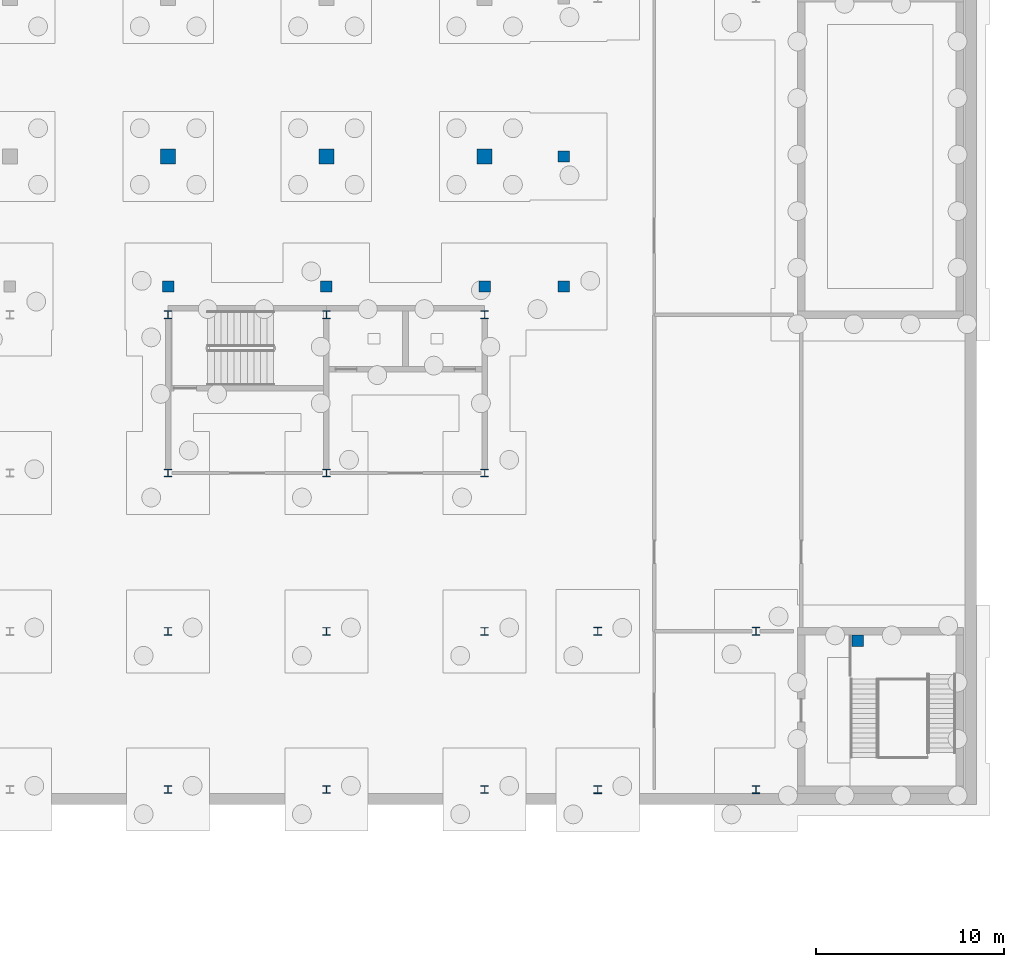
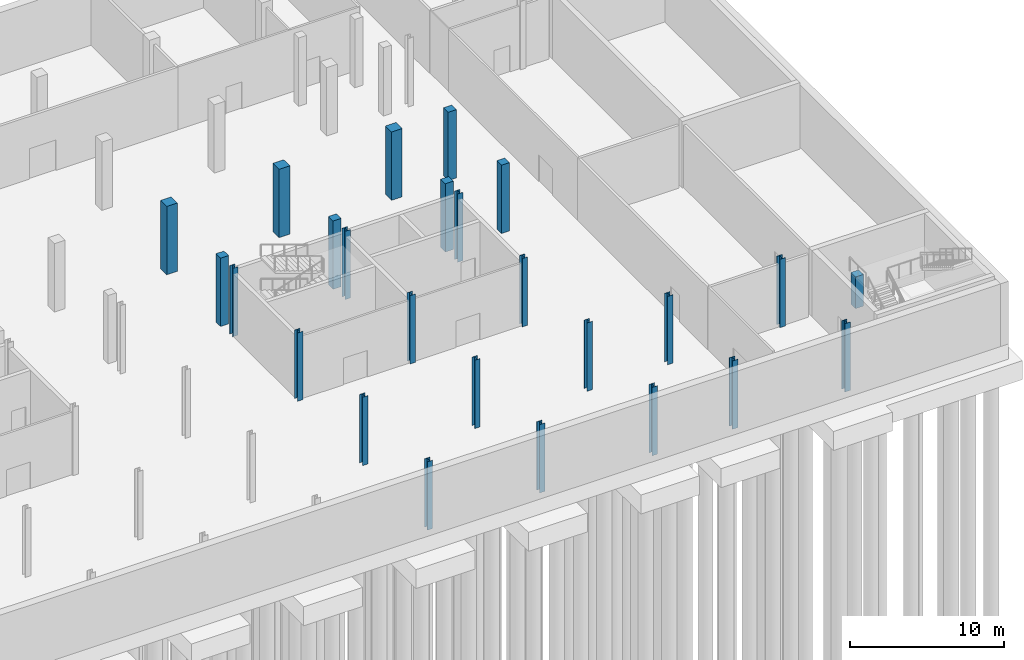
# One storey, part 11 of 29: 25 columns.
"""IFC4 building model written with IfcOpenShell, lengths in metres."""

from ifc_helpers import new_model, si_unit, direction, frame, origin, origin_2d, place, context, subcontext, project, spatial, rectangle, i_section, extrude, material, material_profile, profile_set, type_object, element, save


model = new_model("IFC4")

# Units and contexts
model_context = context("Model", 3, precision=1e-05, world=origin(), true_north=direction((0.0, 1.0)))
body_context = subcontext(model_context, "Body", "Model", "MODEL_VIEW")
ifc_project = project(units=[si_unit("LENGTHUNIT", "METRE"), si_unit("AREAUNIT", "SQUARE_METRE"), si_unit("VOLUMEUNIT", "CUBIC_METRE"), si_unit("PLANEANGLEUNIT", "RADIAN"), si_unit("MASSUNIT", "GRAM", prefix="KILO")], contexts=[model_context])

# Site, building, storey
site_placement = place(None, origin())
site = spatial("IfcSite", under=ifc_project, at=site_placement, CompositionType="ELEMENT")
building_placement = place(site_placement, origin())
building = spatial("IfcBuilding", under=site, at=building_placement, Name="Cresset Court Congress Hotel", CompositionType="ELEMENT")
storey_placement = place(building_placement, frame((0.0, 0.0, -5.39990234375)))
storey = spatial("IfcBuildingStorey", under=building, at=storey_placement, Name="B1", CompositionType="ELEMENT", Elevation=-5.39990234375)

# Columns
ifc_material_1 = material(Name="Concrete C40", Category="concrete")
ifc_material_profile_1 = material_profile(ifc_material_1, rectangle(XDim=0.60009765625, YDim=0.60009765625, at=origin_2d()), Name="RC600x600")
ifc_profile_set_1 = profile_set([ifc_material_profile_1], Name="Concrete C40")
column_type_1 = type_object("IfcColumnType", Name="RC column 600x600", PredefinedType="COLUMN", material=ifc_profile_set_1)
for number, where, z_axis, x_axis, name in (
    (1, (134.39990234375, 26.699951171875, 0.0), (0.0, 0.0, 1.0), (1.0, 0.0, 0.0), "Court column D16"),
    (2, (142.800048828125, 26.699951171875, 0.0), (0.0, 0.0, 1.0), (1.0, 0.0, 0.0), "Court column D17"),
    (3, (151.199951171875, 26.699951171875, 0.0), (0.0, 0.0, 1.0), (1.0, 0.0, 0.0), "Court column D18"),
    (4, (155.39990234375, 26.699951171875, 0.0), (0.0, 0.0, 1.0), (1.0, 0.0, 0.0), "Court column D19"),
    (5, (155.39990234375, 33.60009765625, 0.0), (0.0, 0.0, 1.0), (1.0, 0.0, 0.0), "Court column D20"),
):
    element("IfcColumn", number, at=place(storey_placement, frame(where, z_axis=z_axis, x_axis=x_axis)), inside=storey, type_object=column_type_1, Name=name, PredefinedType="COLUMN", context=body_context, shape_type="SweptSolid", body=[
        extrude(rectangle(XDim=0.60009765625, YDim=0.60009765625, at=origin_2d()), origin(), (0.0, 0.0, 1.0), 5.39990234375),
    ])
column_placement = place(storey_placement, frame((171.0, 7.89990234375, 0.0), z_axis=(0.0, 0.0, 1.0), x_axis=(1.0, 0.0, 0.0)))
element("IfcColumn", 6, at=column_placement, inside=storey, type_object=column_type_1, Name="Stair column A1 B1", PredefinedType="COLUMN", context=body_context, shape_type="SweptSolid", body=[
    extrude(rectangle(XDim=0.60009765625, YDim=0.60009765625, at=origin_2d()), origin(), (0.0, 0.0, 1.0), 2.5),
])
ifc_material_2 = material(Name="Concrete C50", Category="concrete")
ifc_material_profile_2 = material_profile(ifc_material_2, rectangle(XDim=0.800048828125, YDim=0.800048828125, at=origin_2d()), Name="RC800x800")
ifc_profile_set_2 = profile_set([ifc_material_profile_2], Name="Concrete C50")
column_type_2 = type_object("IfcColumnType", Name="RC column 800x800", PredefinedType="COLUMN", material=ifc_profile_set_2)
for number, where, z_axis, x_axis, name in (
    (7, (134.39990234375, 33.60009765625, 0.0), (0.0, 0.0, 1.0), (1.0, 0.0, 0.0), "Court column 16E"),
    (8, (142.800048828125, 33.60009765625, 0.0), (0.0, 0.0, 1.0), (1.0, 0.0, 0.0), "Court column 17E"),
    (9, (151.199951171875, 33.60009765625, 0.0), (0.0, 0.0, 1.0), (1.0, 0.0, 0.0), "Court column 18E"),
):
    element("IfcColumn", number, at=place(storey_placement, frame(where, z_axis=z_axis, x_axis=x_axis)), inside=storey, type_object=column_type_2, Name=name, PredefinedType="COLUMN", context=body_context, shape_type="SweptSolid", body=[
        extrude(rectangle(XDim=0.800048828125, YDim=0.800048828125, at=origin_2d()), origin(), (0.0, 0.0, 1.0), 5.39990234375),
    ])
ifc_material_3 = material(Name="Structural steel Q355B", Category="steel")
ifc_material_profile_3 = material_profile(ifc_material_3, i_section(OverallWidth=0.39990234375, OverallDepth=0.39990234375, WebThickness=0.012939453125, FlangeThickness=0.02099609375, FilletRadius=0.02197265625, at=origin_2d()), Name="HW400x400x13x21")
ifc_profile_set_3 = profile_set([ifc_material_profile_3], Name="Structural steel Q355B")
column_type_3 = type_object("IfcColumnType", Name="Steel column HW400x400x13x21", PredefinedType="COLUMN", material=ifc_profile_set_3)
for number, where, z_axis, x_axis, name in (
    (10, (134.39990234375, 0.0, 0.0), (0.0, 0.0, 1.0), (1.0, 0.0, 0.0), "B.col.B1.17A"),
    (11, (134.39990234375, 8.39990234375, 0.0), (0.0, 0.0, 1.0), (1.0, 0.0, 0.0), "B.col.B1.17B"),
    (12, (134.39990234375, 16.800048828125, 0.0), (0.0, 0.0, 1.0), (1.0, 0.0, 0.0), "B.col.B1.17C"),
    (13, (134.39990234375, 25.199951171875, 0.0), (0.0, 0.0, 1.0), (1.0, 0.0, 0.0), "B.col.B1.17D"),
    (14, (142.800048828125, 0.0, 0.0), (0.0, 0.0, 1.0), (1.0, 0.0, 0.0), "B.col.B1.18A"),
    (15, (142.800048828125, 8.39990234375, 0.0), (0.0, 0.0, 1.0), (1.0, 0.0, 0.0), "B.col.B1.18B"),
    (16, (142.800048828125, 16.800048828125, 0.0), (0.0, 0.0, 1.0), (1.0, 0.0, 0.0), "B.col.B1.18C"),
    (17, (142.800048828125, 25.199951171875, 0.0), (0.0, 0.0, 1.0), (1.0, 0.0, 0.0), "B.col.B1.18D"),
    (18, (151.199951171875, 0.0, 0.0), (0.0, 0.0, 1.0), (1.0, 0.0, 0.0), "B.col.B1.19A"),
    (19, (151.199951171875, 8.39990234375, 0.0), (0.0, 0.0, 1.0), (1.0, 0.0, 0.0), "B.col.B1.19B"),
    (20, (151.199951171875, 16.800048828125, 0.0), (0.0, 0.0, 1.0), (1.0, 0.0, 0.0), "B.col.B1.19C"),
    (21, (151.199951171875, 25.199951171875, 0.0), (0.0, 0.0, 1.0), (1.0, 0.0, 0.0), "B.col.B1.19D"),
):
    element("IfcColumn", number, at=place(storey_placement, frame(where, z_axis=z_axis, x_axis=x_axis)), inside=storey, type_object=column_type_3, Name=name, PredefinedType="COLUMN", context=body_context, shape_type="SweptSolid", body=[
        extrude(i_section(OverallWidth=0.39990234375, OverallDepth=0.39990234375, WebThickness=0.012939453125, FlangeThickness=0.02099609375, FilletRadius=0.02197265625, at=origin_2d()), origin(), (0.0, 0.0, 1.0), 5.39990234375),
    ])
ifc_material_4 = material(Name="Structural steel Q355B", Category="steel")
ifc_material_profile_4 = material_profile(ifc_material_4, i_section(OverallWidth=0.406982421875, OverallDepth=0.427978515625, WebThickness=0.02001953125, FlangeThickness=0.034912109375, FilletRadius=0.02197265625, at=origin_2d()), Name="HW428x407x20x35")
ifc_profile_set_4 = profile_set([ifc_material_profile_4], Name="Structural steel Q355B")
column_type_4 = type_object("IfcColumnType", Name="Steel column HW428x407x20x35", PredefinedType="COLUMN", material=ifc_profile_set_4)
for number, where, z_axis, x_axis, name in (
    (22, (157.199951171875, 0.0, 0.0), (0.0, 0.0, 1.0), (1.0, 0.0, 0.0), "Column B1 1-20"),
    (23, (157.199951171875, 8.39990234375, 0.0), (0.0, 0.0, 1.0), (1.0, 0.0, 0.0), "Column B1 2-20"),
    (24, (165.60009765625, 0.0, 0.0), (0.0, 0.0, 1.0), (1.0, 0.0, 0.0), "Column B1 1-21"),
    (25, (165.60009765625, 8.39990234375, 0.0), (0.0, 0.0, 1.0), (1.0, 0.0, 0.0), "Column B1 2-21"),
):
    element("IfcColumn", number, at=place(storey_placement, frame(where, z_axis=z_axis, x_axis=x_axis)), inside=storey, type_object=column_type_4, Name=name, PredefinedType="COLUMN", context=body_context, shape_type="SweptSolid", body=[
        extrude(i_section(OverallWidth=0.406982421875, OverallDepth=0.427978515625, WebThickness=0.02001953125, FlangeThickness=0.034912109375, FilletRadius=0.02197265625, at=origin_2d()), origin(), (0.0, 0.0, 1.0), 5.39990234375),
    ])

save(model, "model.ifc")
